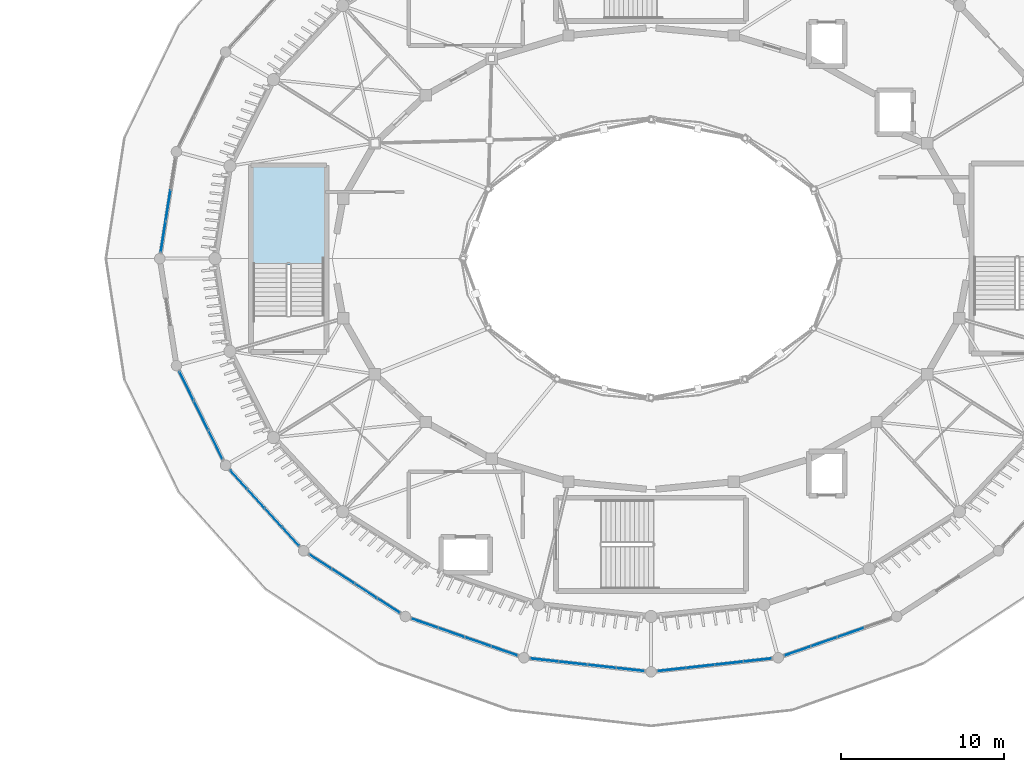
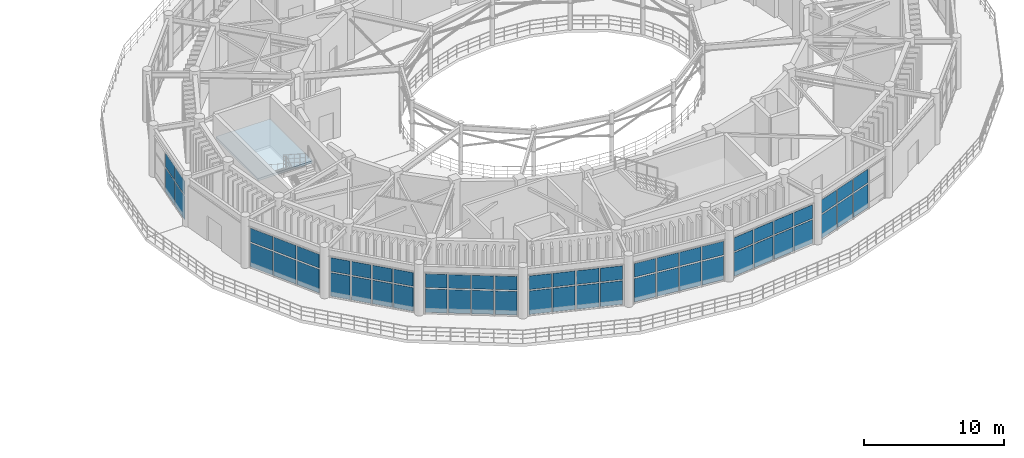
# One storey, part 19 of 45: 56 plates, 1 slab, 9 elements without a shape of their own.
"""IFC4 building model written with IfcOpenShell, lengths in metres."""

from ifc_helpers import new_model, si_unit, direction, frame, origin, origin_2d, place, context, subcontext, project, spatial, polyline, rectangle, outline, extrude, material, layer, layer_set, type_object, element, aggregate, save


model = new_model("IFC4")

# Units and contexts
model_context = context("Model", 3, precision=1e-05, world=origin(), true_north=direction((0.0, 1.0)))
body_context = subcontext(model_context, "Body", "Model", "MODEL_VIEW")
ifc_project = project(units=[si_unit("LENGTHUNIT", "METRE"), si_unit("AREAUNIT", "SQUARE_METRE"), si_unit("VOLUMEUNIT", "CUBIC_METRE"), si_unit("PLANEANGLEUNIT", "RADIAN"), si_unit("MASSUNIT", "GRAM", prefix="KILO")], contexts=[model_context])

# Site, building, storey
site_placement = place(None, origin())
site = spatial("IfcSite", under=ifc_project, at=site_placement, CompositionType="ELEMENT")
building_placement = place(site_placement, origin())
building = spatial("IfcBuilding", under=site, at=building_placement, Name="Cinderbank Siding Concert Hall", CompositionType="ELEMENT")
storey_placement = place(building_placement, frame((0.0, 0.0, 19.199951171875)))
storey = spatial("IfcBuildingStorey", under=building, at=storey_placement, Name="L05", CompositionType="ELEMENT", Elevation=19.199951171875)

# Curtain wall, plates
ifc_material_1 = material(Name="Anodised aluminium alloy 6063-T6", Category="aluminium")
curtain_wall_type_1 = type_object("IfcCurtainWallType", Name="CW-11 Unitised Acoustic Curtain Wall 6600x3500", PredefinedType="NOTDEFINED", material=ifc_material_1)
curtain_wall_1_placement = place(storey_placement, origin())
curtain_wall_1 = element("IfcCurtainWall", 1, at=curtain_wall_1_placement, inside=storey, type_object=curtain_wall_type_1, Name="L05 Curtain Wall CW-11 #88", PredefinedType="NOTDEFINED")
ifc_material_2 = material(Name="Double-glazed laminated acoustic glass", Category="glass")
ifc_layer_1 = layer(ifc_material_2, 0.035888671875)
ifc_layer_set_1 = layer_set([ifc_layer_1], Name="Double-glazed laminated acoustic glass")
plate_type_1 = type_object("IfcPlateType", Name="CP-01 Glazed Curtain Panel 1800x2200", PredefinedType="CURTAIN_PANEL", material=ifc_layer_set_1)
plate_1_placement = place(storey_placement, frame((123.267822265625, 18.740478515625, 0.1201171875), z_axis=(0.0, 0.0, 1.0), x_axis=(0.993925224089, 0.110057480072, 0.0)))
plate_1 = element("IfcPlate", 2, at=plate_1_placement, type_object=plate_type_1, Name="CW-L05-088 Glazed Panel 0-0", PredefinedType="CURTAIN_PANEL", context=body_context, shape_type="SweptSolid", body=[
    extrude(rectangle(XDim=1.6708984375, YDim=0.035888671875, at=origin_2d()), origin(), (0.0, 0.0, 1.0), 2.05810546875),
])
plate_2_placement = place(storey_placement, frame((123.267822265625, 18.740478515625, 2.298095703125), z_axis=(0.0, 0.0, 1.0), x_axis=(0.993925224089, 0.110057480072, 0.0)))
plate_2 = element("IfcPlate", 3, at=plate_2_placement, type_object=plate_type_1, Name="CW-L05-088 Glazed Panel 0-1", PredefinedType="CURTAIN_PANEL", context=body_context, shape_type="SweptSolid", body=[
    extrude(rectangle(XDim=1.6708984375, YDim=0.035888671875, at=origin_2d()), origin(), (0.0, 0.0, 1.0), 1.19189453125),
])
plate_3_placement = place(storey_placement, frame((125.028076171875, 18.935302734375, 0.1201171875), z_axis=(0.0, 0.0, 1.0), x_axis=(0.993925224089, 0.110057480072, 0.0)))
plate_3 = element("IfcPlate", 4, at=plate_3_placement, type_object=plate_type_1, Name="CW-L05-088 Glazed Panel 1-0", PredefinedType="CURTAIN_PANEL", context=body_context, shape_type="SweptSolid", body=[
    extrude(rectangle(XDim=1.6708984375, YDim=0.035888671875, at=origin_2d()), origin(), (0.0, 0.0, 1.0), 2.05810546875),
])
plate_4_placement = place(storey_placement, frame((125.028076171875, 18.935302734375, 2.298095703125), z_axis=(0.0, 0.0, 1.0), x_axis=(0.993925224089, 0.110057480072, 0.0)))
plate_4 = element("IfcPlate", 5, at=plate_4_placement, type_object=plate_type_1, Name="CW-L05-088 Glazed Panel 1-1", PredefinedType="CURTAIN_PANEL", context=body_context, shape_type="SweptSolid", body=[
    extrude(rectangle(XDim=1.6708984375, YDim=0.035888671875, at=origin_2d()), origin(), (0.0, 0.0, 1.0), 1.19189453125),
])
plate_5_placement = place(storey_placement, frame((126.788330078125, 19.130126953125, 0.1201171875), z_axis=(0.0, 0.0, 1.0), x_axis=(0.993925224089, 0.110057480072, 0.0)))
plate_5 = element("IfcPlate", 6, at=plate_5_placement, type_object=plate_type_1, Name="CW-L05-088 Glazed Panel 2-0", PredefinedType="CURTAIN_PANEL", context=body_context, shape_type="SweptSolid", body=[
    extrude(rectangle(XDim=1.6708984375, YDim=0.035888671875, at=origin_2d()), origin(), (0.0, 0.0, 1.0), 2.05810546875),
])
plate_6_placement = place(storey_placement, frame((126.788330078125, 19.130126953125, 2.298095703125), z_axis=(0.0, 0.0, 1.0), x_axis=(0.993925224089, 0.110057480072, 0.0)))
plate_6 = element("IfcPlate", 7, at=plate_6_placement, type_object=plate_type_1, Name="CW-L05-088 Glazed Panel 2-1", PredefinedType="CURTAIN_PANEL", context=body_context, shape_type="SweptSolid", body=[
    extrude(rectangle(XDim=1.6708984375, YDim=0.035888671875, at=origin_2d()), origin(), (0.0, 0.0, 1.0), 1.19189453125),
])
plate_7_placement = place(storey_placement, frame((128.548583984375, 19.3251953125, 0.1201171875), z_axis=(0.0, 0.0, 1.0), x_axis=(0.993925224089, 0.110057480072, 0.0)))
plate_7 = element("IfcPlate", 8, at=plate_7_placement, type_object=plate_type_1, Name="CW-L05-088 Glazed Panel 3-0", PredefinedType="CURTAIN_PANEL", context=body_context, shape_type="SweptSolid", body=[
    extrude(rectangle(XDim=1.6708984375, YDim=0.035888671875, at=origin_2d()), origin(), (0.0, 0.0, 1.0), 2.05810546875),
])
plate_8_placement = place(storey_placement, frame((128.548583984375, 19.3251953125, 2.298095703125), z_axis=(0.0, 0.0, 1.0), x_axis=(0.993925224089, 0.110057480072, 0.0)))
plate_8 = element("IfcPlate", 9, at=plate_8_placement, type_object=plate_type_1, Name="CW-L05-088 Glazed Panel 3-1", PredefinedType="CURTAIN_PANEL", context=body_context, shape_type="SweptSolid", body=[
    extrude(rectangle(XDim=1.6708984375, YDim=0.035888671875, at=origin_2d()), origin(), (0.0, 0.0, 1.0), 1.19189453125),
])
aggregate(curtain_wall_1, [plate_1, plate_2, plate_3, plate_4, plate_5, plate_6, plate_7, plate_8])

curtain_wall_type_2 = type_object("IfcCurtainWallType", Name="CW-12 Unitised Acoustic Curtain Wall 5800x3500", PredefinedType="NOTDEFINED", material=ifc_material_1)
curtain_wall_2_placement = place(storey_placement, origin())
curtain_wall_2 = element("IfcCurtainWall", 10, at=curtain_wall_2_placement, inside=storey, type_object=curtain_wall_type_2, Name="L05 Curtain Wall CW-12 #89", PredefinedType="NOTDEFINED")
ifc_layer_2 = layer(ifc_material_2, 0.035888671875)
ifc_layer_set_2 = layer_set([ifc_layer_2], Name="Double-glazed laminated acoustic glass")
plate_type_2 = type_object("IfcPlateType", Name="CP-02 Glazed Curtain Panel 1800x1900", PredefinedType="CURTAIN_PANEL", material=ifc_layer_set_2)
plate_9_placement = place(storey_placement, frame((131.0029296875, 19.87890625, 0.1201171875), z_axis=(0.0, 0.0, 1.0), x_axis=(0.944334191914, 0.328987741387, 0.0)))
plate_9 = element("IfcPlate", 11, at=plate_9_placement, type_object=plate_type_2, Name="CW-L05-089 Glazed Panel 0-0", PredefinedType="CURTAIN_PANEL", context=body_context, shape_type="SweptSolid", body=[
    extrude(rectangle(XDim=1.63330078125, YDim=0.035888671875, at=origin_2d()), origin(), (0.0, 0.0, 1.0), 2.05810546875),
])
plate_10_placement = place(storey_placement, frame((131.0029296875, 19.87890625, 2.298095703125), z_axis=(0.0, 0.0, 1.0), x_axis=(0.944334191914, 0.328987741387, 0.0)))
plate_10 = element("IfcPlate", 12, at=plate_10_placement, type_object=plate_type_2, Name="CW-L05-089 Glazed Panel 0-1", PredefinedType="CURTAIN_PANEL", context=body_context, shape_type="SweptSolid", body=[
    extrude(rectangle(XDim=1.63330078125, YDim=0.035888671875, at=origin_2d()), origin(), (0.0, 0.0, 1.0), 1.19189453125),
])
plate_11_placement = place(storey_placement, frame((132.639892578125, 20.44921875, 0.1201171875), z_axis=(0.0, 0.0, 1.0), x_axis=(0.944334191914, 0.328987741387, 0.0)))
plate_11 = element("IfcPlate", 13, at=plate_11_placement, type_object=plate_type_2, Name="CW-L05-089 Glazed Panel 1-0", PredefinedType="CURTAIN_PANEL", context=body_context, shape_type="SweptSolid", body=[
    extrude(rectangle(XDim=1.63330078125, YDim=0.035888671875, at=origin_2d()), origin(), (0.0, 0.0, 1.0), 2.05810546875),
])
plate_12_placement = place(storey_placement, frame((132.639892578125, 20.44921875, 2.298095703125), z_axis=(0.0, 0.0, 1.0), x_axis=(0.944334191914, 0.328987741387, 0.0)))
plate_12 = element("IfcPlate", 14, at=plate_12_placement, type_object=plate_type_2, Name="CW-L05-089 Glazed Panel 1-1", PredefinedType="CURTAIN_PANEL", context=body_context, shape_type="SweptSolid", body=[
    extrude(rectangle(XDim=1.63330078125, YDim=0.035888671875, at=origin_2d()), origin(), (0.0, 0.0, 1.0), 1.19189453125),
])
plate_13_placement = place(storey_placement, frame((134.276611328125, 21.019287109375, 0.1201171875), z_axis=(0.0, 0.0, 1.0), x_axis=(0.944334191914, 0.328987741387, 0.0)))
plate_13 = element("IfcPlate", 15, at=plate_13_placement, type_object=plate_type_2, Name="CW-L05-089 Glazed Panel 2-0", PredefinedType="CURTAIN_PANEL", context=body_context, shape_type="SweptSolid", body=[
    extrude(rectangle(XDim=1.63330078125, YDim=0.035888671875, at=origin_2d()), origin(), (0.0, 0.0, 1.0), 2.05810546875),
])
plate_14_placement = place(storey_placement, frame((134.276611328125, 21.019287109375, 2.298095703125), z_axis=(0.0, 0.0, 1.0), x_axis=(0.944334191914, 0.328987741387, 0.0)))
plate_14 = element("IfcPlate", 16, at=plate_14_placement, type_object=plate_type_2, Name="CW-L05-089 Glazed Panel 2-1", PredefinedType="CURTAIN_PANEL", context=body_context, shape_type="SweptSolid", body=[
    extrude(rectangle(XDim=1.63330078125, YDim=0.035888671875, at=origin_2d()), origin(), (0.0, 0.0, 1.0), 1.19189453125),
])
aggregate(curtain_wall_2, [plate_9, plate_10, plate_11, plate_12, plate_13, plate_14])

curtain_wall_3_placement = place(storey_placement, origin())
curtain_wall_3 = element("IfcCurtainWall", 17, at=curtain_wall_3_placement, inside=storey, type_object=curtain_wall_type_2, Name="L05 Curtain Wall CW-12 #82", PredefinedType="NOTDEFINED")
ifc_layer_3 = layer(ifc_material_2, 0.035888671875)
ifc_layer_set_3 = layer_set([ifc_layer_3], Name="Double-glazed laminated acoustic glass")
plate_type_3 = type_object("IfcPlateType", Name="CP-03 Glazed Curtain Panel 1600x2100", PredefinedType="CURTAIN_PANEL", material=ifc_layer_set_3)
plate_15_placement = place(storey_placement, frame((92.314453125, 47.287109375, 0.1201171875), z_axis=(0.0, 0.0, 1.0), x_axis=(-0.154642773708, -0.987970451248, 0.0)))
plate_15 = element("IfcPlate", 18, at=plate_15_placement, type_object=plate_type_3, Name="CW-L05-082 Glazed Panel 1-0", PredefinedType="CURTAIN_PANEL", context=body_context, shape_type="SweptSolid", body=[
    extrude(rectangle(XDim=1.85791015625, YDim=0.035888671875, at=origin_2d()), origin(), (0.0, 0.0, 1.0), 2.05810546875),
])
plate_16_placement = place(storey_placement, frame((92.314453125, 47.287109375, 2.298095703125), z_axis=(0.0, 0.0, 1.0), x_axis=(-0.154642773708, -0.987970451248, 0.0)))
plate_16 = element("IfcPlate", 19, at=plate_16_placement, type_object=plate_type_3, Name="CW-L05-082 Glazed Panel 1-1", PredefinedType="CURTAIN_PANEL", context=body_context, shape_type="SweptSolid", body=[
    extrude(rectangle(XDim=1.85791015625, YDim=0.035888671875, at=origin_2d()), origin(), (0.0, 0.0, 1.0), 1.19189453125),
])
plate_17_placement = place(storey_placement, frame((92.01171875, 45.3525390625, 0.1201171875), z_axis=(0.0, 0.0, 1.0), x_axis=(-0.154642773708, -0.987970451248, 0.0)))
plate_17 = element("IfcPlate", 20, at=plate_17_placement, type_object=plate_type_3, Name="CW-L05-082 Glazed Panel 2-0", PredefinedType="CURTAIN_PANEL", context=body_context, shape_type="SweptSolid", body=[
    extrude(rectangle(XDim=1.85791015625, YDim=0.035888671875, at=origin_2d()), origin(), (0.0, 0.0, 1.0), 2.05810546875),
])
plate_18_placement = place(storey_placement, frame((92.01171875, 45.3525390625, 2.298095703125), z_axis=(0.0, 0.0, 1.0), x_axis=(-0.154642773708, -0.987970451248, 0.0)))
plate_18 = element("IfcPlate", 21, at=plate_18_placement, type_object=plate_type_3, Name="CW-L05-082 Glazed Panel 2-1", PredefinedType="CURTAIN_PANEL", context=body_context, shape_type="SweptSolid", body=[
    extrude(rectangle(XDim=1.85791015625, YDim=0.035888671875, at=origin_2d()), origin(), (0.0, 0.0, 1.0), 1.19189453125),
])
aggregate(curtain_wall_3, [plate_15, plate_16, plate_17, plate_18])

curtain_wall_type_3 = type_object("IfcCurtainWallType", Name="CW-10 Unitised Acoustic Curtain Wall 7200x3500", PredefinedType="NOTDEFINED", material=ifc_material_1)
curtain_wall_4_placement = place(storey_placement, origin())
curtain_wall_4 = element("IfcCurtainWall", 22, at=curtain_wall_4_placement, inside=storey, type_object=curtain_wall_type_3, Name="L05 Curtain Wall CW-10 #83", PredefinedType="NOTDEFINED")
ifc_layer_4 = layer(ifc_material_2, 0.031982421875)
ifc_layer_set_4 = layer_set([ifc_layer_4], Name="Double-glazed laminated acoustic glass")
plate_type_4 = type_object("IfcPlateType", Name="CP-04 Glazed Curtain Panel 1400x2000", PredefinedType="CURTAIN_PANEL", material=ifc_layer_set_4)
plate_19_placement = place(storey_placement, frame((93.44677734375, 36.171875, 0.1201171875), z_axis=(0.0, 0.0, 1.0), x_axis=(0.441816401468, -0.897105494016, 0.0)))
plate_19 = element("IfcPlate", 23, at=plate_19_placement, type_object=plate_type_4, Name="CW-L05-083 Glazed Panel 0-0", PredefinedType="CURTAIN_PANEL", context=body_context, shape_type="SweptSolid", body=[
    extrude(rectangle(XDim=1.916259765625, YDim=0.035888671875, at=origin_2d()), origin(), (0.0, 0.0, 1.0), 2.05810546875),
])
plate_20_placement = place(storey_placement, frame((93.44677734375, 36.171875, 2.298095703125), z_axis=(0.0, 0.0, 1.0), x_axis=(0.441816401468, -0.897105494016, 0.0)))
plate_20 = element("IfcPlate", 24, at=plate_20_placement, type_object=plate_type_4, Name="CW-L05-083 Glazed Panel 0-1", PredefinedType="CURTAIN_PANEL", context=body_context, shape_type="SweptSolid", body=[
    extrude(rectangle(XDim=1.916259765625, YDim=0.035888671875, at=origin_2d()), origin(), (0.0, 0.0, 1.0), 1.19189453125),
])
plate_21_placement = place(storey_placement, frame((94.33740234375, 34.363037109375, 0.1201171875), z_axis=(0.0, 0.0, 1.0), x_axis=(0.441816401468, -0.897105494016, 0.0)))
plate_21 = element("IfcPlate", 25, at=plate_21_placement, type_object=plate_type_4, Name="CW-L05-083 Glazed Panel 1-0", PredefinedType="CURTAIN_PANEL", context=body_context, shape_type="SweptSolid", body=[
    extrude(rectangle(XDim=1.916259765625, YDim=0.035888671875, at=origin_2d()), origin(), (0.0, 0.0, 1.0), 2.05810546875),
])
plate_22_placement = place(storey_placement, frame((94.33740234375, 34.363037109375, 2.298095703125), z_axis=(0.0, 0.0, 1.0), x_axis=(0.441816401468, -0.897105494016, 0.0)))
plate_22 = element("IfcPlate", 26, at=plate_22_placement, type_object=plate_type_4, Name="CW-L05-083 Glazed Panel 1-1", PredefinedType="CURTAIN_PANEL", context=body_context, shape_type="SweptSolid", body=[
    extrude(rectangle(XDim=1.916259765625, YDim=0.035888671875, at=origin_2d()), origin(), (0.0, 0.0, 1.0), 1.19189453125),
])
plate_23_placement = place(storey_placement, frame((95.228271484375, 32.55419921875, 0.1201171875), z_axis=(0.0, 0.0, 1.0), x_axis=(0.441816401468, -0.897105494016, 0.0)))
plate_23 = element("IfcPlate", 27, at=plate_23_placement, type_object=plate_type_4, Name="CW-L05-083 Glazed Panel 2-0", PredefinedType="CURTAIN_PANEL", context=body_context, shape_type="SweptSolid", body=[
    extrude(rectangle(XDim=1.916259765625, YDim=0.035888671875, at=origin_2d()), origin(), (0.0, 0.0, 1.0), 2.05810546875),
])
plate_24_placement = place(storey_placement, frame((95.228271484375, 32.55419921875, 2.298095703125), z_axis=(0.0, 0.0, 1.0), x_axis=(0.441816401468, -0.897105494016, 0.0)))
plate_24 = element("IfcPlate", 28, at=plate_24_placement, type_object=plate_type_4, Name="CW-L05-083 Glazed Panel 2-1", PredefinedType="CURTAIN_PANEL", context=body_context, shape_type="SweptSolid", body=[
    extrude(rectangle(XDim=1.916259765625, YDim=0.035888671875, at=origin_2d()), origin(), (0.0, 0.0, 1.0), 1.19189453125),
])
aggregate(curtain_wall_4, [plate_19, plate_20, plate_21, plate_22, plate_23, plate_24])

curtain_wall_5_placement = place(storey_placement, origin())
curtain_wall_5 = element("IfcCurtainWall", 29, at=curtain_wall_5_placement, inside=storey, type_object=curtain_wall_type_1, Name="L05 Curtain Wall CW-11 #84", PredefinedType="NOTDEFINED")
ifc_layer_5 = layer(ifc_material_2, 0.031982421875)
ifc_layer_set_5 = layer_set([ifc_layer_5], Name="Double-glazed laminated acoustic glass")
plate_type_5 = type_object("IfcPlateType", Name="CP-05 Glazed Curtain Panel 1200x1800", PredefinedType="CURTAIN_PANEL", material=ifc_layer_set_5)
plate_25_placement = place(storey_placement, frame((96.64306640625, 30.426513671875, 0.1201171875), z_axis=(0.0, 0.0, 1.0), x_axis=(0.673988610863, -0.738741735945, 0.0)))
plate_25 = element("IfcPlate", 30, at=plate_25_placement, type_object=plate_type_5, Name="CW-L05-084 Glazed Panel 0-0", PredefinedType="CURTAIN_PANEL", context=body_context, shape_type="SweptSolid", body=[
    extrude(rectangle(XDim=1.485107421875, YDim=0.035888671875, at=origin_2d()), origin(), (0.0, 0.0, 1.0), 2.05810546875),
])
plate_26_placement = place(storey_placement, frame((96.64306640625, 30.426513671875, 2.298095703125), z_axis=(0.0, 0.0, 1.0), x_axis=(0.673988610863, -0.738741735945, 0.0)))
plate_26 = element("IfcPlate", 31, at=plate_26_placement, type_object=plate_type_5, Name="CW-L05-084 Glazed Panel 0-1", PredefinedType="CURTAIN_PANEL", context=body_context, shape_type="SweptSolid", body=[
    extrude(rectangle(XDim=1.485107421875, YDim=0.035888671875, at=origin_2d()), origin(), (0.0, 0.0, 1.0), 1.19189453125),
])
plate_27_placement = place(storey_placement, frame((97.71142578125, 29.25537109375, 0.1201171875), z_axis=(0.0, 0.0, 1.0), x_axis=(0.673988610863, -0.738741735945, 0.0)))
plate_27 = element("IfcPlate", 32, at=plate_27_placement, type_object=plate_type_5, Name="CW-L05-084 Glazed Panel 1-0", PredefinedType="CURTAIN_PANEL", context=body_context, shape_type="SweptSolid", body=[
    extrude(rectangle(XDim=1.485107421875, YDim=0.035888671875, at=origin_2d()), origin(), (0.0, 0.0, 1.0), 2.05810546875),
])
plate_28_placement = place(storey_placement, frame((97.71142578125, 29.25537109375, 2.298095703125), z_axis=(0.0, 0.0, 1.0), x_axis=(0.673988610863, -0.738741735945, 0.0)))
plate_28 = element("IfcPlate", 33, at=plate_28_placement, type_object=plate_type_5, Name="CW-L05-084 Glazed Panel 1-1", PredefinedType="CURTAIN_PANEL", context=body_context, shape_type="SweptSolid", body=[
    extrude(rectangle(XDim=1.485107421875, YDim=0.035888671875, at=origin_2d()), origin(), (0.0, 0.0, 1.0), 1.19189453125),
])
plate_29_placement = place(storey_placement, frame((98.77978515625, 28.084228515625, 0.1201171875), z_axis=(0.0, 0.0, 1.0), x_axis=(0.673988610863, -0.738741735945, 0.0)))
plate_29 = element("IfcPlate", 34, at=plate_29_placement, type_object=plate_type_5, Name="CW-L05-084 Glazed Panel 2-0", PredefinedType="CURTAIN_PANEL", context=body_context, shape_type="SweptSolid", body=[
    extrude(rectangle(XDim=1.485107421875, YDim=0.035888671875, at=origin_2d()), origin(), (0.0, 0.0, 1.0), 2.05810546875),
])
plate_30_placement = place(storey_placement, frame((98.77978515625, 28.084228515625, 2.298095703125), z_axis=(0.0, 0.0, 1.0), x_axis=(0.673988610863, -0.738741735945, 0.0)))
plate_30 = element("IfcPlate", 35, at=plate_30_placement, type_object=plate_type_5, Name="CW-L05-084 Glazed Panel 2-1", PredefinedType="CURTAIN_PANEL", context=body_context, shape_type="SweptSolid", body=[
    extrude(rectangle(XDim=1.485107421875, YDim=0.035888671875, at=origin_2d()), origin(), (0.0, 0.0, 1.0), 1.19189453125),
])
plate_31_placement = place(storey_placement, frame((99.848388671875, 26.9130859375, 0.1201171875), z_axis=(0.0, 0.0, 1.0), x_axis=(0.673988610863, -0.738741735945, 0.0)))
plate_31 = element("IfcPlate", 36, at=plate_31_placement, type_object=plate_type_5, Name="CW-L05-084 Glazed Panel 3-0", PredefinedType="CURTAIN_PANEL", context=body_context, shape_type="SweptSolid", body=[
    extrude(rectangle(XDim=1.485107421875, YDim=0.035888671875, at=origin_2d()), origin(), (0.0, 0.0, 1.0), 2.05810546875),
])
plate_32_placement = place(storey_placement, frame((99.848388671875, 26.9130859375, 2.298095703125), z_axis=(0.0, 0.0, 1.0), x_axis=(0.673988610863, -0.738741735945, 0.0)))
plate_32 = element("IfcPlate", 37, at=plate_32_placement, type_object=plate_type_5, Name="CW-L05-084 Glazed Panel 3-1", PredefinedType="CURTAIN_PANEL", context=body_context, shape_type="SweptSolid", body=[
    extrude(rectangle(XDim=1.485107421875, YDim=0.035888671875, at=origin_2d()), origin(), (0.0, 0.0, 1.0), 1.19189453125),
])
aggregate(curtain_wall_5, [plate_25, plate_26, plate_27, plate_28, plate_29, plate_30, plate_31, plate_32])

curtain_wall_6_placement = place(storey_placement, origin())
curtain_wall_6 = element("IfcCurtainWall", 38, at=curtain_wall_6_placement, inside=storey, type_object=curtain_wall_type_2, Name="L05 Curtain Wall CW-12 #85", PredefinedType="NOTDEFINED")
ifc_layer_6 = layer(ifc_material_2, 0.0380859375)
ifc_layer_set_6 = layer_set([ifc_layer_6], Name="Double-glazed laminated acoustic glass")
plate_type_6 = type_object("IfcPlateType", Name="CP-06 Glazed Curtain Panel 2100x1600", PredefinedType="CURTAIN_PANEL", material=ifc_layer_set_6)
plate_33_placement = place(storey_placement, frame((101.673095703125, 25.376220703125, 0.1201171875), z_axis=(0.0, 0.0, 1.0), x_axis=(0.840218663385, -0.542247727243, 0.0)))
plate_33 = element("IfcPlate", 39, at=plate_33_placement, type_object=plate_type_6, Name="CW-L05-085 Glazed Panel 0-0", PredefinedType="CURTAIN_PANEL", context=body_context, shape_type="SweptSolid", body=[
    extrude(rectangle(XDim=1.56591796875, YDim=0.035888671875, at=origin_2d()), origin(), (0.0, 0.0, 1.0), 2.05810546875),
])
plate_34_placement = place(storey_placement, frame((101.673095703125, 25.376220703125, 2.298095703125), z_axis=(0.0, 0.0, 1.0), x_axis=(0.840218663385, -0.542247727243, 0.0)))
plate_34 = element("IfcPlate", 40, at=plate_34_placement, type_object=plate_type_6, Name="CW-L05-085 Glazed Panel 0-1", PredefinedType="CURTAIN_PANEL", context=body_context, shape_type="SweptSolid", body=[
    extrude(rectangle(XDim=1.56591796875, YDim=0.035888671875, at=origin_2d()), origin(), (0.0, 0.0, 1.0), 1.19189453125),
])
plate_35_placement = place(storey_placement, frame((103.07275390625, 24.472900390625, 0.1201171875), z_axis=(0.0, 0.0, 1.0), x_axis=(0.840218663385, -0.542247727243, 0.0)))
plate_35 = element("IfcPlate", 41, at=plate_35_placement, type_object=plate_type_6, Name="CW-L05-085 Glazed Panel 1-0", PredefinedType="CURTAIN_PANEL", context=body_context, shape_type="SweptSolid", body=[
    extrude(rectangle(XDim=1.56591796875, YDim=0.035888671875, at=origin_2d()), origin(), (0.0, 0.0, 1.0), 2.05810546875),
])
plate_36_placement = place(storey_placement, frame((103.07275390625, 24.472900390625, 2.298095703125), z_axis=(0.0, 0.0, 1.0), x_axis=(0.840218663385, -0.542247727243, 0.0)))
plate_36 = element("IfcPlate", 42, at=plate_36_placement, type_object=plate_type_6, Name="CW-L05-085 Glazed Panel 1-1", PredefinedType="CURTAIN_PANEL", context=body_context, shape_type="SweptSolid", body=[
    extrude(rectangle(XDim=1.56591796875, YDim=0.035888671875, at=origin_2d()), origin(), (0.0, 0.0, 1.0), 1.19189453125),
])
plate_37_placement = place(storey_placement, frame((104.47265625, 23.569580078125, 0.1201171875), z_axis=(0.0, 0.0, 1.0), x_axis=(0.840218663385, -0.542247727243, 0.0)))
plate_37 = element("IfcPlate", 43, at=plate_37_placement, type_object=plate_type_6, Name="CW-L05-085 Glazed Panel 2-0", PredefinedType="CURTAIN_PANEL", context=body_context, shape_type="SweptSolid", body=[
    extrude(rectangle(XDim=1.56591796875, YDim=0.035888671875, at=origin_2d()), origin(), (0.0, 0.0, 1.0), 2.05810546875),
])
plate_38_placement = place(storey_placement, frame((104.47265625, 23.569580078125, 2.298095703125), z_axis=(0.0, 0.0, 1.0), x_axis=(0.840218663385, -0.542247727243, 0.0)))
plate_38 = element("IfcPlate", 44, at=plate_38_placement, type_object=plate_type_6, Name="CW-L05-085 Glazed Panel 2-1", PredefinedType="CURTAIN_PANEL", context=body_context, shape_type="SweptSolid", body=[
    extrude(rectangle(XDim=1.56591796875, YDim=0.035888671875, at=origin_2d()), origin(), (0.0, 0.0, 1.0), 1.19189453125),
])
plate_39_placement = place(storey_placement, frame((105.872314453125, 22.666259765625, 0.1201171875), z_axis=(0.0, 0.0, 1.0), x_axis=(0.840218663385, -0.542247727243, 0.0)))
plate_39 = element("IfcPlate", 45, at=plate_39_placement, type_object=plate_type_6, Name="CW-L05-085 Glazed Panel 3-0", PredefinedType="CURTAIN_PANEL", context=body_context, shape_type="SweptSolid", body=[
    extrude(rectangle(XDim=1.56591796875, YDim=0.035888671875, at=origin_2d()), origin(), (0.0, 0.0, 1.0), 2.05810546875),
])
plate_40_placement = place(storey_placement, frame((105.872314453125, 22.666259765625, 2.298095703125), z_axis=(0.0, 0.0, 1.0), x_axis=(0.840218663385, -0.542247727243, 0.0)))
plate_40 = element("IfcPlate", 46, at=plate_40_placement, type_object=plate_type_6, Name="CW-L05-085 Glazed Panel 3-1", PredefinedType="CURTAIN_PANEL", context=body_context, shape_type="SweptSolid", body=[
    extrude(rectangle(XDim=1.56591796875, YDim=0.035888671875, at=origin_2d()), origin(), (0.0, 0.0, 1.0), 1.19189453125),
])
aggregate(curtain_wall_6, [plate_33, plate_34, plate_35, plate_36, plate_37, plate_38, plate_39, plate_40])

curtain_wall_type_4 = type_object("IfcCurtainWallType", Name="CW-09 Unitised Acoustic Curtain Wall 8000x3500", PredefinedType="NOTDEFINED", material=ifc_material_1)
curtain_wall_7_placement = place(storey_placement, origin())
curtain_wall_7 = element("IfcCurtainWall", 47, at=curtain_wall_7_placement, inside=storey, type_object=curtain_wall_type_4, Name="L05 Curtain Wall CW-09 #86", PredefinedType="NOTDEFINED")
ifc_layer_7 = layer(ifc_material_2, 0.033935546875)
ifc_layer_set_7 = layer_set([ifc_layer_7], Name="Double-glazed laminated acoustic glass")
plate_type_7 = type_object("IfcPlateType", Name="CP-07 Glazed Curtain Panel 1500x1750", PredefinedType="CURTAIN_PANEL", material=ifc_layer_set_7)
plate_41_placement = place(storey_placement, frame((108.086669921875, 21.589599609375, 0.1201171875), z_axis=(0.0, 0.0, 1.0), x_axis=(0.944334191914, -0.328987741387, 0.0)))
plate_41 = element("IfcPlate", 48, at=plate_41_placement, type_object=plate_type_7, Name="CW-L05-086 Glazed Panel 0-0", PredefinedType="CURTAIN_PANEL", context=body_context, shape_type="SweptSolid", body=[
    extrude(rectangle(XDim=1.63330078125, YDim=0.035888671875, at=origin_2d()), origin(), (0.0, 0.0, 1.0), 2.05810546875),
])
plate_42_placement = place(storey_placement, frame((108.086669921875, 21.589599609375, 2.298095703125), z_axis=(0.0, 0.0, 1.0), x_axis=(0.944334191914, -0.328987741387, 0.0)))
plate_42 = element("IfcPlate", 49, at=plate_42_placement, type_object=plate_type_7, Name="CW-L05-086 Glazed Panel 0-1", PredefinedType="CURTAIN_PANEL", context=body_context, shape_type="SweptSolid", body=[
    extrude(rectangle(XDim=1.63330078125, YDim=0.035888671875, at=origin_2d()), origin(), (0.0, 0.0, 1.0), 1.19189453125),
])
plate_43_placement = place(storey_placement, frame((109.723388671875, 21.019287109375, 0.1201171875), z_axis=(0.0, 0.0, 1.0), x_axis=(0.944334191914, -0.328987741387, 0.0)))
plate_43 = element("IfcPlate", 50, at=plate_43_placement, type_object=plate_type_7, Name="CW-L05-086 Glazed Panel 1-0", PredefinedType="CURTAIN_PANEL", context=body_context, shape_type="SweptSolid", body=[
    extrude(rectangle(XDim=1.63330078125, YDim=0.035888671875, at=origin_2d()), origin(), (0.0, 0.0, 1.0), 2.05810546875),
])
plate_44_placement = place(storey_placement, frame((109.723388671875, 21.019287109375, 2.298095703125), z_axis=(0.0, 0.0, 1.0), x_axis=(0.944334191914, -0.328987741387, 0.0)))
plate_44 = element("IfcPlate", 51, at=plate_44_placement, type_object=plate_type_7, Name="CW-L05-086 Glazed Panel 1-1", PredefinedType="CURTAIN_PANEL", context=body_context, shape_type="SweptSolid", body=[
    extrude(rectangle(XDim=1.63330078125, YDim=0.035888671875, at=origin_2d()), origin(), (0.0, 0.0, 1.0), 1.19189453125),
])
plate_45_placement = place(storey_placement, frame((111.360107421875, 20.44921875, 0.1201171875), z_axis=(0.0, 0.0, 1.0), x_axis=(0.944334191914, -0.328987741387, 0.0)))
plate_45 = element("IfcPlate", 52, at=plate_45_placement, type_object=plate_type_7, Name="CW-L05-086 Glazed Panel 2-0", PredefinedType="CURTAIN_PANEL", context=body_context, shape_type="SweptSolid", body=[
    extrude(rectangle(XDim=1.63330078125, YDim=0.035888671875, at=origin_2d()), origin(), (0.0, 0.0, 1.0), 2.05810546875),
])
plate_46_placement = place(storey_placement, frame((111.360107421875, 20.44921875, 2.298095703125), z_axis=(0.0, 0.0, 1.0), x_axis=(0.944334191914, -0.328987741387, 0.0)))
plate_46 = element("IfcPlate", 53, at=plate_46_placement, type_object=plate_type_7, Name="CW-L05-086 Glazed Panel 2-1", PredefinedType="CURTAIN_PANEL", context=body_context, shape_type="SweptSolid", body=[
    extrude(rectangle(XDim=1.63330078125, YDim=0.035888671875, at=origin_2d()), origin(), (0.0, 0.0, 1.0), 1.19189453125),
])
plate_47_placement = place(storey_placement, frame((112.9970703125, 19.87890625, 0.1201171875), z_axis=(0.0, 0.0, 1.0), x_axis=(0.944334191914, -0.328987741387, 0.0)))
plate_47 = element("IfcPlate", 54, at=plate_47_placement, type_object=plate_type_7, Name="CW-L05-086 Glazed Panel 3-0", PredefinedType="CURTAIN_PANEL", context=body_context, shape_type="SweptSolid", body=[
    extrude(rectangle(XDim=1.63330078125, YDim=0.035888671875, at=origin_2d()), origin(), (0.0, 0.0, 1.0), 2.05810546875),
])
plate_48_placement = place(storey_placement, frame((112.9970703125, 19.87890625, 2.298095703125), z_axis=(0.0, 0.0, 1.0), x_axis=(0.944334191914, -0.328987741387, 0.0)))
plate_48 = element("IfcPlate", 55, at=plate_48_placement, type_object=plate_type_7, Name="CW-L05-086 Glazed Panel 3-1", PredefinedType="CURTAIN_PANEL", context=body_context, shape_type="SweptSolid", body=[
    extrude(rectangle(XDim=1.63330078125, YDim=0.035888671875, at=origin_2d()), origin(), (0.0, 0.0, 1.0), 1.19189453125),
])
aggregate(curtain_wall_7, [plate_41, plate_42, plate_43, plate_44, plate_45, plate_46, plate_47, plate_48])

curtain_wall_8_placement = place(storey_placement, origin())
curtain_wall_8 = element("IfcCurtainWall", 56, at=curtain_wall_8_placement, inside=storey, type_object=curtain_wall_type_3, Name="L05 Curtain Wall CW-10 #87", PredefinedType="NOTDEFINED")
ifc_layer_8 = layer(ifc_material_2, 0.033935546875)
ifc_layer_set_8 = layer_set([ifc_layer_8], Name="Double-glazed laminated acoustic glass")
plate_type_8 = type_object("IfcPlateType", Name="CP-08 Glazed Curtain Panel 1700x1550", PredefinedType="CURTAIN_PANEL", material=ifc_layer_set_8)
plate_49_placement = place(storey_placement, frame((115.451416015625, 19.3251953125, 0.1201171875), z_axis=(0.0, 0.0, 1.0), x_axis=(0.993925224089, -0.110057480072, 0.0)))
plate_49 = element("IfcPlate", 57, at=plate_49_placement, type_object=plate_type_8, Name="CW-L05-087 Glazed Panel 0-0", PredefinedType="CURTAIN_PANEL", context=body_context, shape_type="SweptSolid", body=[
    extrude(rectangle(XDim=1.6708984375, YDim=0.035888671875, at=origin_2d()), origin(), (0.0, 0.0, 1.0), 2.05810546875),
])
plate_50_placement = place(storey_placement, frame((115.451416015625, 19.3251953125, 2.298095703125), z_axis=(0.0, 0.0, 1.0), x_axis=(0.993925224089, -0.110057480072, 0.0)))
plate_50 = element("IfcPlate", 58, at=plate_50_placement, type_object=plate_type_8, Name="CW-L05-087 Glazed Panel 0-1", PredefinedType="CURTAIN_PANEL", context=body_context, shape_type="SweptSolid", body=[
    extrude(rectangle(XDim=1.6708984375, YDim=0.035888671875, at=origin_2d()), origin(), (0.0, 0.0, 1.0), 1.19189453125),
])
plate_51_placement = place(storey_placement, frame((117.211669921875, 19.130126953125, 0.1201171875), z_axis=(0.0, 0.0, 1.0), x_axis=(0.993925224089, -0.110057480072, 0.0)))
plate_51 = element("IfcPlate", 59, at=plate_51_placement, type_object=plate_type_8, Name="CW-L05-087 Glazed Panel 1-0", PredefinedType="CURTAIN_PANEL", context=body_context, shape_type="SweptSolid", body=[
    extrude(rectangle(XDim=1.6708984375, YDim=0.035888671875, at=origin_2d()), origin(), (0.0, 0.0, 1.0), 2.05810546875),
])
plate_52_placement = place(storey_placement, frame((117.211669921875, 19.130126953125, 2.298095703125), z_axis=(0.0, 0.0, 1.0), x_axis=(0.993925224089, -0.110057480072, 0.0)))
plate_52 = element("IfcPlate", 60, at=plate_52_placement, type_object=plate_type_8, Name="CW-L05-087 Glazed Panel 1-1", PredefinedType="CURTAIN_PANEL", context=body_context, shape_type="SweptSolid", body=[
    extrude(rectangle(XDim=1.6708984375, YDim=0.035888671875, at=origin_2d()), origin(), (0.0, 0.0, 1.0), 1.19189453125),
])
plate_53_placement = place(storey_placement, frame((118.971923828125, 18.935302734375, 0.1201171875), z_axis=(0.0, 0.0, 1.0), x_axis=(0.993925224089, -0.110057480072, 0.0)))
plate_53 = element("IfcPlate", 61, at=plate_53_placement, type_object=plate_type_8, Name="CW-L05-087 Glazed Panel 2-0", PredefinedType="CURTAIN_PANEL", context=body_context, shape_type="SweptSolid", body=[
    extrude(rectangle(XDim=1.6708984375, YDim=0.035888671875, at=origin_2d()), origin(), (0.0, 0.0, 1.0), 2.05810546875),
])
plate_54_placement = place(storey_placement, frame((118.971923828125, 18.935302734375, 2.298095703125), z_axis=(0.0, 0.0, 1.0), x_axis=(0.993925224089, -0.110057480072, 0.0)))
plate_54 = element("IfcPlate", 62, at=plate_54_placement, type_object=plate_type_8, Name="CW-L05-087 Glazed Panel 2-1", PredefinedType="CURTAIN_PANEL", context=body_context, shape_type="SweptSolid", body=[
    extrude(rectangle(XDim=1.6708984375, YDim=0.035888671875, at=origin_2d()), origin(), (0.0, 0.0, 1.0), 1.19189453125),
])
plate_55_placement = place(storey_placement, frame((120.732177734375, 18.740478515625, 0.1201171875), z_axis=(0.0, 0.0, 1.0), x_axis=(0.993925224089, -0.110057480072, 0.0)))
plate_55 = element("IfcPlate", 63, at=plate_55_placement, type_object=plate_type_8, Name="CW-L05-087 Glazed Panel 3-0", PredefinedType="CURTAIN_PANEL", context=body_context, shape_type="SweptSolid", body=[
    extrude(rectangle(XDim=1.6708984375, YDim=0.035888671875, at=origin_2d()), origin(), (0.0, 0.0, 1.0), 2.05810546875),
])
plate_56_placement = place(storey_placement, frame((120.732177734375, 18.740478515625, 2.298095703125), z_axis=(0.0, 0.0, 1.0), x_axis=(0.993925224089, -0.110057480072, 0.0)))
plate_56 = element("IfcPlate", 64, at=plate_56_placement, type_object=plate_type_8, Name="CW-L05-087 Glazed Panel 3-1", PredefinedType="CURTAIN_PANEL", context=body_context, shape_type="SweptSolid", body=[
    extrude(rectangle(XDim=1.6708984375, YDim=0.035888671875, at=origin_2d()), origin(), (0.0, 0.0, 1.0), 1.19189453125),
])
aggregate(curtain_wall_8, [plate_49, plate_50, plate_51, plate_52, plate_53, plate_54, plate_55, plate_56])

# Stair, slab
ifc_material_3 = material(Name="Reinforced concrete AS 3600 N50 (50 MPa)", Category="concrete")
stair_type = type_object("IfcStairType", Name="STR-D Dogleg Exit Stair 2100mm", PredefinedType="HALF_TURN_STAIR", material=ifc_material_3)
stair_placement = place(storey_placement, origin())
stair = element("IfcStair", 65, at=stair_placement, inside=storey, type_object=stair_type, Name="L05 West Drum Exit Stair ST-04", PredefinedType="HALF_TURN_STAIR")
ifc_layer_9 = layer(ifc_material_3, 0.199951171875)
ifc_layer_set_9 = layer_set([ifc_layer_9], Name="Reinforced concrete AS 3600 N50 (50 MPa)")
slab_type = type_object("IfcSlabType", Name="LD-02 Slab 200mm", PredefinedType="LANDING", material=ifc_layer_set_9)
slab_placement = place(storey_placement, frame((0.0, 0.0, 2.050048828125)))
slab = element("IfcSlab", 66, at=slab_placement, type_object=slab_type, Name="ST-04 landing 1", PredefinedType="LANDING", context=body_context, shape_type="SweptSolid", body=[
    extrude(outline(polyline([(101.97998046875, 43.610107421875), (97.4599609375, 43.610107421875), (97.4599609375, 49.679931640625), (101.97998046875, 49.679931640625), (101.97998046875, 43.610107421875)])), origin(), (0.0, 0.0, 1.0), 0.199951171875),
])
aggregate(stair, [slab])

save(model, "model.ifc")
